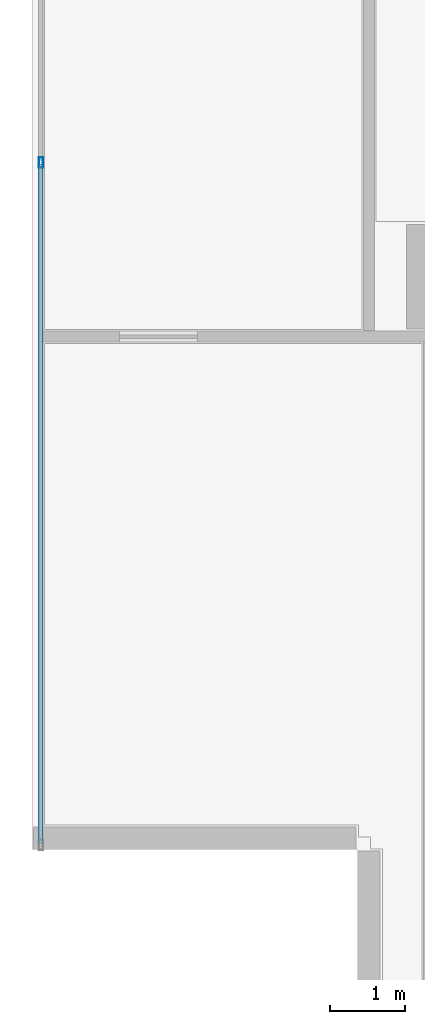
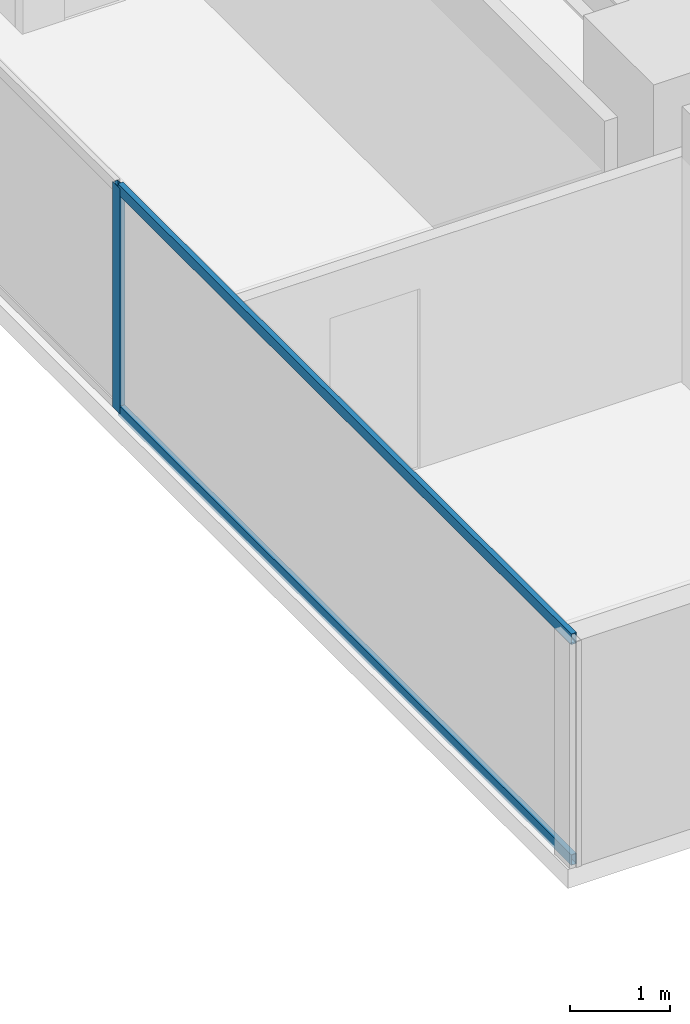
# One storey, part 4 of 26: 3 members, 1 element without a shape of its own.
"""IFC4 building model written with IfcOpenShell, lengths in metres."""

from ifc_helpers import new_model, si_unit, direction, frame, origin, origin_2d, place, context, subcontext, project, spatial, hollow_rectangle, extrude, source, transform, mapped, material, layer, layer_set, material_profile, profile_set, type_object, element, aggregate, save


model = new_model("IFC4")

# Units and contexts
model_context = context("Model", 3, precision=1e-05, world=origin(), true_north=direction((0.0, 1.0)))
body_context = subcontext(model_context, "Body", "Model", "MODEL_VIEW")
ifc_project = project(units=[si_unit("LENGTHUNIT", "METRE"), si_unit("AREAUNIT", "SQUARE_METRE"), si_unit("VOLUMEUNIT", "CUBIC_METRE"), si_unit("PLANEANGLEUNIT", "RADIAN"), si_unit("MASSUNIT", "GRAM", prefix="KILO")], contexts=[model_context])

# Site, building, storey
site_placement = place(None, origin())
site = spatial("IfcSite", under=ifc_project, at=site_placement, CompositionType="ELEMENT")
building_placement = place(site_placement, origin())
building = spatial("IfcBuilding", under=site, at=building_placement, Name="Sumidabori Civic Tower", CompositionType="ELEMENT")
storey_placement = place(building_placement, frame((0.0, 0.0, 243.199951171875)))
storey = spatial("IfcBuildingStorey", under=building, at=storey_placement, Name="L63", CompositionType="ELEMENT", Elevation=243.199951171875)

# Curtain wall, members
ifc_material = material(Name="Anodised Bronze Aluminium AW-6063-T6", Category="aluminium")
ifc_layer = layer(ifc_material, 0.179931640625, Name="Anodised Bronze Aluminium AW-6063-T6")
ifc_layer_set = layer_set([ifc_layer], Name="Anodised Bronze Aluminium AW-6063-T6")
curtain_wall_type = type_object("IfcCurtainWallType", Name="CW-SYS-5", PredefinedType="NOTDEFINED", material=ifc_layer_set)
curtain_wall_placement = place(storey_placement, origin())
curtain_wall = element("IfcCurtainWall", 1, at=curtain_wall_placement, inside=storey, type_object=curtain_wall_type, Name="Curtain Wall CW:L63:R10", PredefinedType="NOTDEFINED")
ifc_material_profile_1 = material_profile(ifc_material, hollow_rectangle(XDim=0.06005859375, YDim=0.139892578125, WallThickness=0.0048828125, at=origin_2d()), Name="ALU MULLION 140x60")
ifc_profile_set_1 = profile_set([ifc_material_profile_1], Name="Anodised Bronze Aluminium AW-6063-T6")
member_type_1 = type_object("IfcMemberType", Name="CW-MUL-140", PredefinedType="MULLION", material=ifc_profile_set_1)
shared_shape_1 = source(origin(), body_context, "Body", "SweptSolid", [
    extrude(hollow_rectangle(XDim=0.06005859375, YDim=0.139892578125, WallThickness=0.0048828125, at=origin_2d()), origin(), (0.0, 0.0, 1.0), 2.75),
])
member_1_placement = place(storey_placement, frame((-22.3798828125, 1.526611328125, 0.0), z_axis=(0.0, 0.0, 1.0), x_axis=(1.0, 0.0, 0.0)))
member_1 = element("IfcMember", 2, at=member_1_placement, type_object=member_type_1, Name="CW-5 mullion 3", PredefinedType="MULLION", context=body_context, shape_type="MappedRepresentation", body=[
    mapped(shared_shape_1, transform((0.0, 0.0, 0.0), x_axis=(1.0, 0.0, 0.0), y_axis=(0.0, 1.0, 0.0), z_axis=(0.0, 0.0, 1.0), scale=1.0)),
])
ifc_material_profile_2 = material_profile(ifc_material, hollow_rectangle(XDim=0.06005859375, YDim=0.1298828125, WallThickness=0.0048828125, at=origin_2d()), Name="ALU TRANSOM 130x60")
ifc_profile_set_2 = profile_set([ifc_material_profile_2], Name="Anodised Bronze Aluminium AW-6063-T6")
member_type_2 = type_object("IfcMemberType", Name="CW-TRN-130", PredefinedType="USERDEFINED", material=ifc_profile_set_2)
shared_shape_2 = source(origin(), body_context, "Body", "SweptSolid", [
    extrude(hollow_rectangle(XDim=0.06005859375, YDim=0.1298828125, WallThickness=0.0048828125, at=origin_2d()), origin(), (0.0, 0.0, 1.0), 9.056640625),
])
member_2_placement = place(storey_placement, frame((-22.3798828125, 1.49658203125, 0.030029296875), z_axis=(0.0, -1.0, 0.0), x_axis=(1.0, 0.0, 0.0)))
member_2 = element("IfcMember", 3, at=member_2_placement, type_object=member_type_2, Name="CW-5 transom 3.1", ObjectType="TRANSOM", PredefinedType="USERDEFINED", context=body_context, shape_type="MappedRepresentation", body=[
    mapped(shared_shape_2, transform((0.0, 0.0, 0.0), x_axis=(1.0, 0.0, 0.0), y_axis=(0.0, 1.0, 0.0), z_axis=(0.0, 0.0, 1.0), scale=1.0)),
])
member_3_placement = place(storey_placement, frame((-22.3798828125, 1.49658203125, 2.719970703125), z_axis=(0.0, -1.0, 0.0), x_axis=(1.0, 0.0, 0.0)))
member_3 = element("IfcMember", 4, at=member_3_placement, type_object=member_type_2, Name="CW-5 transom 3.2", ObjectType="TRANSOM", PredefinedType="USERDEFINED", context=body_context, shape_type="MappedRepresentation", body=[
    mapped(shared_shape_2, transform((0.0, 0.0, 0.0), x_axis=(1.0, 0.0, 0.0), y_axis=(0.0, 1.0, 0.0), z_axis=(0.0, 0.0, 1.0), scale=1.0)),
])
aggregate(curtain_wall, [member_1, member_2, member_3])

save(model, "model.ifc")
